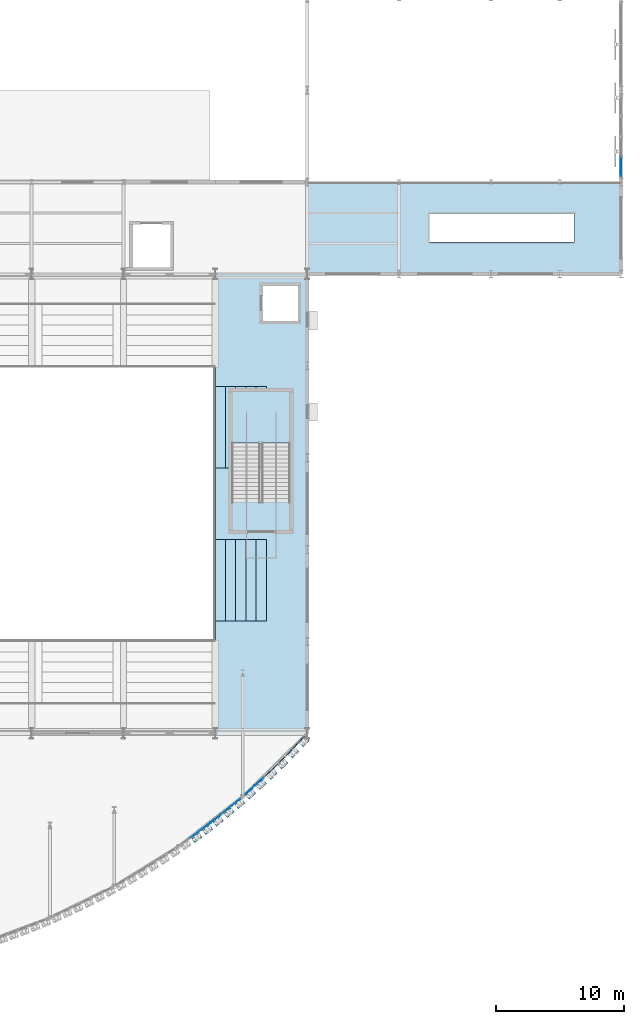
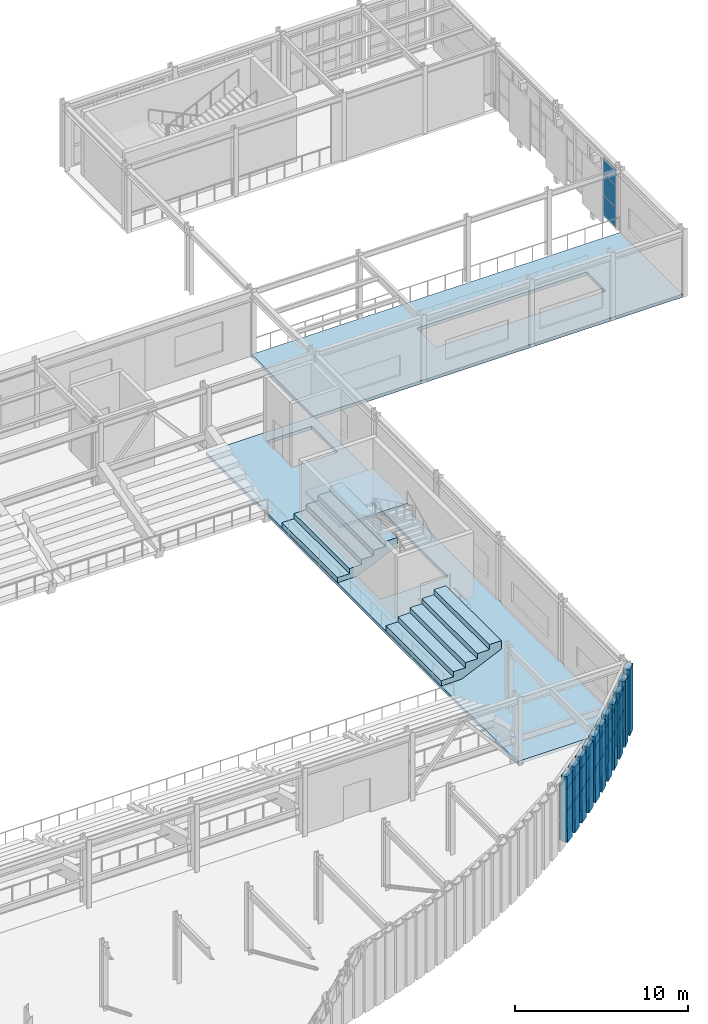
# One storey, part 88 of 121: 53 plates, 5 slabs, 8 elements without a shape of their own.
"""IFC4 building model written with IfcOpenShell, lengths in metres."""

from ifc_helpers import new_model, si_unit, direction, frame, origin, origin_2d, place, context, subcontext, project, spatial, polyline, rectangle, outline, extrude, material, layer, layer_set, type_object, element, aggregate, save


model = new_model("IFC4")

# Units and contexts
model_context = context("Model", 3, precision=1e-05, world=origin(), true_north=direction((0.0, 1.0)))
body_context = subcontext(model_context, "Body", "Model", "MODEL_VIEW")
ifc_project = project(units=[si_unit("LENGTHUNIT", "METRE"), si_unit("AREAUNIT", "SQUARE_METRE"), si_unit("VOLUMEUNIT", "CUBIC_METRE"), si_unit("PLANEANGLEUNIT", "RADIAN"), si_unit("MASSUNIT", "GRAM", prefix="KILO")], contexts=[model_context])

# Site, building, storey
site_placement = place(None, origin())
site = spatial("IfcSite", under=ifc_project, at=site_placement, CompositionType="ELEMENT")
building_placement = place(site_placement, origin())
building = spatial("IfcBuilding", under=site, at=building_placement, Name="Solvadek Multi-Sports Hall", CompositionType="ELEMENT")
storey_placement = place(building_placement, frame((0.0, 0.0, 4.800048828125)))
storey = spatial("IfcBuildingStorey", under=building, at=storey_placement, Name="L01", CompositionType="ELEMENT", Elevation=4.800048828125)

# Curtain wall, plates
ifc_material_1 = material(Name="Anodised aluminium", Category="aluminium")
ifc_layer_1 = layer(ifc_material_1, 0.159912109375, Name="Anodised aluminium")
ifc_layer_set_1 = layer_set([ifc_layer_1], Name="Anodised aluminium")
curtain_wall_type_1 = type_object("IfcCurtainWallType", Name="ENV-CW-180X420", PredefinedType="USERDEFINED", material=ifc_layer_set_1)
curtain_wall_1_placement = place(storey_placement, origin())
curtain_wall_1 = element("IfcCurtainWall", 1, at=curtain_wall_1_placement, inside=storey, type_object=curtain_wall_type_1, Name="L01 Crescent Curved Curtain Wall #103", ObjectType="CURTAIN WALL", PredefinedType="USERDEFINED")
ifc_material_2 = material(Name="Tempered laminated low-E glass", Category="glass")
ifc_layer_2 = layer(ifc_material_2, 0.02392578125, Name="Tempered laminated low-E glass")
ifc_layer_set_2 = layer_set([ifc_layer_2], Name="Tempered laminated low-E glass")
plate_type_1 = type_object("IfcPlateType", Name="ENV-CWP-01", PredefinedType="CURTAIN_PANEL", material=ifc_layer_set_2)
plate_1_placement = place(storey_placement, frame((127.99609375, -1.93994140625, 0.06005859375), z_axis=(0.0, 0.0, 1.0), x_axis=(0.812062299686, 0.583570751005, 0.0)))
plate_1 = element("IfcPlate", 2, at=plate_1_placement, type_object=plate_type_1, Name="CW-33 panel 2.1", PredefinedType="CURTAIN_PANEL", context=body_context, shape_type="SweptSolid", body=[
    extrude(rectangle(XDim=0.79443359375, YDim=0.02392578125, at=origin_2d()), origin(), (0.0, 0.0, 1.0), 1.3798828125),
])
plate_2_placement = place(storey_placement, frame((127.99609375, -1.93994140625, 1.5), z_axis=(0.0, 0.0, 1.0), x_axis=(0.812062299686, 0.583570751005, 0.0)))
plate_2 = element("IfcPlate", 3, at=plate_2_placement, type_object=plate_type_1, Name="CW-33 panel 2.2", PredefinedType="CURTAIN_PANEL", context=body_context, shape_type="SweptSolid", body=[
    extrude(rectangle(XDim=0.79443359375, YDim=0.02392578125, at=origin_2d()), origin(), (0.0, 0.0, 1.0), 1.493896484375),
])
plate_3_placement = place(storey_placement, frame((127.99609375, -1.93994140625, 3.053955078125), z_axis=(0.0, 0.0, 1.0), x_axis=(0.812062299686, 0.583570751005, 0.0)))
plate_3 = element("IfcPlate", 4, at=plate_3_placement, type_object=plate_type_1, Name="CW-33 panel 2.3", PredefinedType="CURTAIN_PANEL", context=body_context, shape_type="SweptSolid", body=[
    extrude(rectangle(XDim=0.79443359375, YDim=0.02392578125, at=origin_2d()), origin(), (0.0, 0.0, 1.0), 1.0859375),
])
aggregate(curtain_wall_1, [plate_1, plate_2, plate_3])

ifc_layer_3 = layer(ifc_material_1, 0.159912109375, Name="Anodised aluminium")
ifc_layer_set_3 = layer_set([ifc_layer_3], Name="Anodised aluminium")
curtain_wall_type_2 = type_object("IfcCurtainWallType", Name="ENV-CW-207X420", PredefinedType="USERDEFINED", material=ifc_layer_set_3)
curtain_wall_2_placement = place(storey_placement, origin())
curtain_wall_2 = element("IfcCurtainWall", 5, at=curtain_wall_2_placement, inside=storey, type_object=curtain_wall_type_2, Name="L01 Crescent Curved Curtain Wall #105", ObjectType="CURTAIN WALL", PredefinedType="USERDEFINED")
ifc_layer_4 = layer(ifc_material_2, 0.028076171875, Name="Tempered laminated low-E glass")
ifc_layer_set_4 = layer_set([ifc_layer_4], Name="Tempered laminated low-E glass")
plate_type_2 = type_object("IfcPlateType", Name="ENV-CWP-02", PredefinedType="CURTAIN_PANEL", material=ifc_layer_set_4)
plate_4_placement = place(storey_placement, frame((128.84375, -1.305908203125, 0.06005859375), z_axis=(0.0, 0.0, 1.0), x_axis=(0.79050061562, 0.612461245063, 0.0)))
plate_4 = element("IfcPlate", 6, at=plate_4_placement, type_object=plate_type_2, Name="CW-34 panel 1.1", PredefinedType="CURTAIN_PANEL", context=body_context, shape_type="SweptSolid", body=[
    extrude(rectangle(XDim=0.942626953125, YDim=0.028076171875, at=origin_2d()), origin(), (0.0, 0.0, 1.0), 1.3798828125),
])
plate_5_placement = place(storey_placement, frame((128.84375, -1.305908203125, 1.5), z_axis=(0.0, 0.0, 1.0), x_axis=(0.79050061562, 0.612461245063, 0.0)))
plate_5 = element("IfcPlate", 7, at=plate_5_placement, type_object=plate_type_2, Name="CW-34 panel 1.2", PredefinedType="CURTAIN_PANEL", context=body_context, shape_type="SweptSolid", body=[
    extrude(rectangle(XDim=0.942626953125, YDim=0.028076171875, at=origin_2d()), origin(), (0.0, 0.0, 1.0), 1.493896484375),
])
plate_6_placement = place(storey_placement, frame((128.84375, -1.305908203125, 3.053955078125), z_axis=(0.0, 0.0, 1.0), x_axis=(0.79050061562, 0.612461245063, 0.0)))
plate_6 = element("IfcPlate", 8, at=plate_6_placement, type_object=plate_type_2, Name="CW-34 panel 1.3", PredefinedType="CURTAIN_PANEL", context=body_context, shape_type="SweptSolid", body=[
    extrude(rectangle(XDim=0.942626953125, YDim=0.028076171875, at=origin_2d()), origin(), (0.0, 0.0, 1.0), 1.0859375),
])
plate_7_placement = place(storey_placement, frame((129.63623046875, -0.69189453125, 0.06005859375), z_axis=(0.0, 0.0, 1.0), x_axis=(0.79050061562, 0.612461245063, 0.0)))
plate_7 = element("IfcPlate", 9, at=plate_7_placement, type_object=plate_type_2, Name="CW-34 panel 2.1", PredefinedType="CURTAIN_PANEL", context=body_context, shape_type="SweptSolid", body=[
    extrude(rectangle(XDim=0.942626953125, YDim=0.028076171875, at=origin_2d()), origin(), (0.0, 0.0, 1.0), 1.3798828125),
])
plate_8_placement = place(storey_placement, frame((129.63623046875, -0.69189453125, 1.5), z_axis=(0.0, 0.0, 1.0), x_axis=(0.79050061562, 0.612461245063, 0.0)))
plate_8 = element("IfcPlate", 10, at=plate_8_placement, type_object=plate_type_2, Name="CW-34 panel 2.2", PredefinedType="CURTAIN_PANEL", context=body_context, shape_type="SweptSolid", body=[
    extrude(rectangle(XDim=0.942626953125, YDim=0.028076171875, at=origin_2d()), origin(), (0.0, 0.0, 1.0), 1.493896484375),
])
plate_9_placement = place(storey_placement, frame((129.63623046875, -0.69189453125, 3.053955078125), z_axis=(0.0, 0.0, 1.0), x_axis=(0.79050061562, 0.612461245063, 0.0)))
plate_9 = element("IfcPlate", 11, at=plate_9_placement, type_object=plate_type_2, Name="CW-34 panel 2.3", PredefinedType="CURTAIN_PANEL", context=body_context, shape_type="SweptSolid", body=[
    extrude(rectangle(XDim=0.942626953125, YDim=0.028076171875, at=origin_2d()), origin(), (0.0, 0.0, 1.0), 1.0859375),
])
aggregate(curtain_wall_2, [plate_4, plate_5, plate_6, plate_7, plate_8, plate_9])

ifc_layer_5 = layer(ifc_material_1, 0.159912109375, Name="Anodised aluminium")
ifc_layer_set_5 = layer_set([ifc_layer_5], Name="Anodised aluminium")
curtain_wall_type_3 = type_object("IfcCurtainWallType", Name="ENV-CW-192X420", PredefinedType="USERDEFINED", material=ifc_layer_set_5)
curtain_wall_3_placement = place(storey_placement, origin())
curtain_wall_3 = element("IfcCurtainWall", 12, at=curtain_wall_3_placement, inside=storey, type_object=curtain_wall_type_3, Name="L01 Crescent Curved Curtain Wall #107", ObjectType="CURTAIN WALL", PredefinedType="USERDEFINED")
ifc_layer_6 = layer(ifc_material_2, 0.031982421875, Name="Tempered laminated low-E glass")
ifc_layer_set_6 = layer_set([ifc_layer_6], Name="Tempered laminated low-E glass")
plate_type_3 = type_object("IfcPlateType", Name="ENV-CWP-03", PredefinedType="CURTAIN_PANEL", material=ifc_layer_set_6)
plate_10_placement = place(storey_placement, frame((130.482666015625, -0.011474609375, 0.06494140625), z_axis=(0.0, 0.0, 1.0), x_axis=(0.767251161398, 0.641346751245, 0.0)))
plate_10 = element("IfcPlate", 13, at=plate_10_placement, type_object=plate_type_3, Name="CW-31 panel 1.1", PredefinedType="CURTAIN_PANEL", context=body_context, shape_type="SweptSolid", body=[
    extrude(rectangle(XDim=0.869873046875, YDim=0.031982421875, at=origin_2d()), origin(), (0.0, 0.0, 1.0), 1.37255859375),
])
plate_11_placement = place(storey_placement, frame((130.482666015625, -0.011474609375, 1.50244140625), z_axis=(0.0, 0.0, 1.0), x_axis=(0.767251161398, 0.641346751245, 0.0)))
plate_11 = element("IfcPlate", 14, at=plate_11_placement, type_object=plate_type_3, Name="CW-31 panel 1.2", PredefinedType="CURTAIN_PANEL", context=body_context, shape_type="SweptSolid", body=[
    extrude(rectangle(XDim=0.869873046875, YDim=0.031982421875, at=origin_2d()), origin(), (0.0, 0.0, 1.0), 1.489013671875),
])
plate_12_placement = place(storey_placement, frame((130.482666015625, -0.011474609375, 3.056396484375), z_axis=(0.0, 0.0, 1.0), x_axis=(0.767251161398, 0.641346751245, 0.0)))
plate_12 = element("IfcPlate", 15, at=plate_12_placement, type_object=plate_type_3, Name="CW-31 panel 1.3", PredefinedType="CURTAIN_PANEL", context=body_context, shape_type="SweptSolid", body=[
    extrude(rectangle(XDim=0.869873046875, YDim=0.031982421875, at=origin_2d()), origin(), (0.0, 0.0, 1.0), 1.07861328125),
])
plate_13_placement = place(storey_placement, frame((131.196044921875, 0.5849609375, 0.06494140625), z_axis=(0.0, 0.0, 1.0), x_axis=(0.767251161398, 0.641346751245, 0.0)))
plate_13 = element("IfcPlate", 16, at=plate_13_placement, type_object=plate_type_3, Name="CW-31 panel 2.1", PredefinedType="CURTAIN_PANEL", context=body_context, shape_type="SweptSolid", body=[
    extrude(rectangle(XDim=0.869873046875, YDim=0.031982421875, at=origin_2d()), origin(), (0.0, 0.0, 1.0), 1.37255859375),
])
plate_14_placement = place(storey_placement, frame((131.196044921875, 0.5849609375, 1.50244140625), z_axis=(0.0, 0.0, 1.0), x_axis=(0.767251161398, 0.641346751245, 0.0)))
plate_14 = element("IfcPlate", 17, at=plate_14_placement, type_object=plate_type_3, Name="CW-31 panel 2.2", PredefinedType="CURTAIN_PANEL", context=body_context, shape_type="SweptSolid", body=[
    extrude(rectangle(XDim=0.869873046875, YDim=0.031982421875, at=origin_2d()), origin(), (0.0, 0.0, 1.0), 1.489013671875),
])
plate_15_placement = place(storey_placement, frame((131.196044921875, 0.5849609375, 3.056396484375), z_axis=(0.0, 0.0, 1.0), x_axis=(0.767251161398, 0.641346751245, 0.0)))
plate_15 = element("IfcPlate", 18, at=plate_15_placement, type_object=plate_type_3, Name="CW-31 panel 2.3", PredefinedType="CURTAIN_PANEL", context=body_context, shape_type="SweptSolid", body=[
    extrude(rectangle(XDim=0.869873046875, YDim=0.031982421875, at=origin_2d()), origin(), (0.0, 0.0, 1.0), 1.07861328125),
])
aggregate(curtain_wall_3, [plate_10, plate_11, plate_12, plate_13, plate_14, plate_15])

ifc_layer_7 = layer(ifc_material_1, 0.159912109375, Name="Anodised aluminium")
ifc_layer_set_7 = layer_set([ifc_layer_7], Name="Anodised aluminium")
curtain_wall_type_4 = type_object("IfcCurtainWallType", Name="ENV-CW-199X420", PredefinedType="USERDEFINED", material=ifc_layer_set_7)
curtain_wall_4_placement = place(storey_placement, origin())
curtain_wall_4 = element("IfcCurtainWall", 19, at=curtain_wall_4_placement, inside=storey, type_object=curtain_wall_type_4, Name="L01 Crescent Curved Curtain Wall #109", ObjectType="CURTAIN WALL", PredefinedType="USERDEFINED")
ifc_layer_8 = layer(ifc_material_2, 0.035888671875, Name="Tempered laminated low-E glass")
ifc_layer_set_8 = layer_set([ifc_layer_8], Name="Tempered laminated low-E glass")
plate_type_4 = type_object("IfcPlateType", Name="ENV-CWP-04", PredefinedType="CURTAIN_PANEL", material=ifc_layer_set_8)
plate_16_placement = place(storey_placement, frame((132.320068359375, 1.56201171875, 0.06494140625), z_axis=(0.0, 0.0, 1.0), x_axis=(0.742155760329, 0.670227444536, 0.0)))
plate_16 = element("IfcPlate", 20, at=plate_16_placement, type_object=plate_type_4, Name="CW-35 panel 1.1", PredefinedType="CURTAIN_PANEL", context=body_context, shape_type="SweptSolid", body=[
    extrude(rectangle(XDim=0.8994140625, YDim=0.035888671875, at=origin_2d()), origin(), (0.0, 0.0, 1.0), 1.37255859375),
])
plate_17_placement = place(storey_placement, frame((132.320068359375, 1.56201171875, 1.50244140625), z_axis=(0.0, 0.0, 1.0), x_axis=(0.742155760329, 0.670227444536, 0.0)))
plate_17 = element("IfcPlate", 21, at=plate_17_placement, type_object=plate_type_4, Name="CW-35 panel 1.2", PredefinedType="CURTAIN_PANEL", context=body_context, shape_type="SweptSolid", body=[
    extrude(rectangle(XDim=0.8994140625, YDim=0.035888671875, at=origin_2d()), origin(), (0.0, 0.0, 1.0), 1.489013671875),
])
plate_18_placement = place(storey_placement, frame((132.320068359375, 1.56201171875, 3.056396484375), z_axis=(0.0, 0.0, 1.0), x_axis=(0.742155760329, 0.670227444536, 0.0)))
plate_18 = element("IfcPlate", 22, at=plate_18_placement, type_object=plate_type_4, Name="CW-35 panel 1.3", PredefinedType="CURTAIN_PANEL", context=body_context, shape_type="SweptSolid", body=[
    extrude(rectangle(XDim=0.8994140625, YDim=0.035888671875, at=origin_2d()), origin(), (0.0, 0.0, 1.0), 1.07861328125),
])
plate_19_placement = place(storey_placement, frame((133.03564453125, 2.208251953125, 0.06494140625), z_axis=(0.0, 0.0, 1.0), x_axis=(0.742155760329, 0.670227444536, 0.0)))
plate_19 = element("IfcPlate", 23, at=plate_19_placement, type_object=plate_type_4, Name="CW-35 panel 2.1", PredefinedType="CURTAIN_PANEL", context=body_context, shape_type="SweptSolid", body=[
    extrude(rectangle(XDim=0.8994140625, YDim=0.035888671875, at=origin_2d()), origin(), (0.0, 0.0, 1.0), 1.37255859375),
])
plate_20_placement = place(storey_placement, frame((133.03564453125, 2.208251953125, 1.50244140625), z_axis=(0.0, 0.0, 1.0), x_axis=(0.742155760329, 0.670227444536, 0.0)))
plate_20 = element("IfcPlate", 24, at=plate_20_placement, type_object=plate_type_4, Name="CW-35 panel 2.2", PredefinedType="CURTAIN_PANEL", context=body_context, shape_type="SweptSolid", body=[
    extrude(rectangle(XDim=0.8994140625, YDim=0.035888671875, at=origin_2d()), origin(), (0.0, 0.0, 1.0), 1.489013671875),
])
plate_21_placement = place(storey_placement, frame((133.03564453125, 2.208251953125, 3.056396484375), z_axis=(0.0, 0.0, 1.0), x_axis=(0.742155760329, 0.670227444536, 0.0)))
plate_21 = element("IfcPlate", 25, at=plate_21_placement, type_object=plate_type_4, Name="CW-35 panel 2.3", PredefinedType="CURTAIN_PANEL", context=body_context, shape_type="SweptSolid", body=[
    extrude(rectangle(XDim=0.8994140625, YDim=0.035888671875, at=origin_2d()), origin(), (0.0, 0.0, 1.0), 1.07861328125),
])
aggregate(curtain_wall_4, [plate_16, plate_17, plate_18, plate_19, plate_20, plate_21])

ifc_layer_9 = layer(ifc_material_1, 0.159912109375, Name="Anodised aluminium")
ifc_layer_set_9 = layer_set([ifc_layer_9], Name="Anodised aluminium")
curtain_wall_type_5 = type_object("IfcCurtainWallType", Name="ENV-CW-229X420", PredefinedType="USERDEFINED", material=ifc_layer_set_9)
curtain_wall_5_placement = place(storey_placement, origin())
curtain_wall_5 = element("IfcCurtainWall", 26, at=curtain_wall_5_placement, inside=storey, type_object=curtain_wall_type_5, Name="L01 Crescent Curved Curtain Wall #111", ObjectType="CURTAIN WALL", PredefinedType="USERDEFINED")
ifc_layer_10 = layer(ifc_material_2, 0.0419921875, Name="Tempered laminated low-E glass")
ifc_layer_set_10 = layer_set([ifc_layer_10], Name="Tempered laminated low-E glass")
plate_type_5 = type_object("IfcPlateType", Name="ENV-CWP-05", PredefinedType="CURTAIN_PANEL", material=ifc_layer_set_10)
plate_22_placement = place(storey_placement, frame((133.745849609375, 2.87255859375, 0.06005859375), z_axis=(0.0, 0.0, 1.0), x_axis=(0.715032381235, 0.699091334366, 0.0)))
plate_22 = element("IfcPlate", 27, at=plate_22_placement, type_object=plate_type_5, Name="CW-36 panel 1.1", PredefinedType="CURTAIN_PANEL", context=body_context, shape_type="SweptSolid", body=[
    extrude(rectangle(XDim=0.665771484375, YDim=0.0419921875, at=origin_2d()), origin(), (0.0, 0.0, 1.0), 1.3798828125),
])
plate_23_placement = place(storey_placement, frame((133.745849609375, 2.87255859375, 1.5), z_axis=(0.0, 0.0, 1.0), x_axis=(0.715032381235, 0.699091334366, 0.0)))
plate_23 = element("IfcPlate", 28, at=plate_23_placement, type_object=plate_type_5, Name="CW-36 panel 1.2", PredefinedType="CURTAIN_PANEL", context=body_context, shape_type="SweptSolid", body=[
    extrude(rectangle(XDim=0.665771484375, YDim=0.0419921875, at=origin_2d()), origin(), (0.0, 0.0, 1.0), 1.493896484375),
])
plate_24_placement = place(storey_placement, frame((133.745849609375, 2.87255859375, 3.053955078125), z_axis=(0.0, 0.0, 1.0), x_axis=(0.715032381235, 0.699091334366, 0.0)))
plate_24 = element("IfcPlate", 29, at=plate_24_placement, type_object=plate_type_5, Name="CW-36 panel 1.3", PredefinedType="CURTAIN_PANEL", context=body_context, shape_type="SweptSolid", body=[
    extrude(rectangle(XDim=0.665771484375, YDim=0.0419921875, at=origin_2d()), origin(), (0.0, 0.0, 1.0), 1.0859375),
])
plate_25_placement = place(storey_placement, frame((134.280029296875, 3.394775390625, 0.06005859375), z_axis=(0.0, 0.0, 1.0), x_axis=(0.715032381235, 0.699091334366, 0.0)))
plate_25 = element("IfcPlate", 30, at=plate_25_placement, type_object=plate_type_5, Name="CW-36 panel 2.1", PredefinedType="CURTAIN_PANEL", context=body_context, shape_type="SweptSolid", body=[
    extrude(rectangle(XDim=0.6982421875, YDim=0.0419921875, at=origin_2d()), origin(), (0.0, 0.0, 1.0), 1.3798828125),
])
plate_26_placement = place(storey_placement, frame((134.280029296875, 3.394775390625, 1.5), z_axis=(0.0, 0.0, 1.0), x_axis=(0.715032381235, 0.699091334366, 0.0)))
plate_26 = element("IfcPlate", 31, at=plate_26_placement, type_object=plate_type_5, Name="CW-36 panel 2.2", PredefinedType="CURTAIN_PANEL", context=body_context, shape_type="SweptSolid", body=[
    extrude(rectangle(XDim=0.6982421875, YDim=0.0419921875, at=origin_2d()), origin(), (0.0, 0.0, 1.0), 1.493896484375),
])
plate_27_placement = place(storey_placement, frame((134.280029296875, 3.394775390625, 3.053955078125), z_axis=(0.0, 0.0, 1.0), x_axis=(0.715032381235, 0.699091334366, 0.0)))
plate_27 = element("IfcPlate", 32, at=plate_27_placement, type_object=plate_type_5, Name="CW-36 panel 2.3", PredefinedType="CURTAIN_PANEL", context=body_context, shape_type="SweptSolid", body=[
    extrude(rectangle(XDim=0.6982421875, YDim=0.0419921875, at=origin_2d()), origin(), (0.0, 0.0, 1.0), 1.0859375),
])
plate_28_placement = place(storey_placement, frame((134.814208984375, 3.9169921875, 0.06005859375), z_axis=(0.0, 0.0, 1.0), x_axis=(0.715032381235, 0.699091334366, 0.0)))
plate_28 = element("IfcPlate", 33, at=plate_28_placement, type_object=plate_type_5, Name="CW-36 panel 3.1", PredefinedType="CURTAIN_PANEL", context=body_context, shape_type="SweptSolid", body=[
    extrude(rectangle(XDim=0.665771484375, YDim=0.0419921875, at=origin_2d()), origin(), (0.0, 0.0, 1.0), 1.3798828125),
])
plate_29_placement = place(storey_placement, frame((134.814208984375, 3.9169921875, 1.5), z_axis=(0.0, 0.0, 1.0), x_axis=(0.715032381235, 0.699091334366, 0.0)))
plate_29 = element("IfcPlate", 34, at=plate_29_placement, type_object=plate_type_5, Name="CW-36 panel 3.2", PredefinedType="CURTAIN_PANEL", context=body_context, shape_type="SweptSolid", body=[
    extrude(rectangle(XDim=0.665771484375, YDim=0.0419921875, at=origin_2d()), origin(), (0.0, 0.0, 1.0), 1.493896484375),
])
plate_30_placement = place(storey_placement, frame((134.814208984375, 3.9169921875, 3.053955078125), z_axis=(0.0, 0.0, 1.0), x_axis=(0.715032381235, 0.699091334366, 0.0)))
plate_30 = element("IfcPlate", 35, at=plate_30_placement, type_object=plate_type_5, Name="CW-36 panel 3.3", PredefinedType="CURTAIN_PANEL", context=body_context, shape_type="SweptSolid", body=[
    extrude(rectangle(XDim=0.665771484375, YDim=0.0419921875, at=origin_2d()), origin(), (0.0, 0.0, 1.0), 1.0859375),
])
aggregate(curtain_wall_5, [plate_22, plate_23, plate_24, plate_25, plate_26, plate_27, plate_28, plate_29, plate_30])

ifc_layer_11 = layer(ifc_material_1, 0.159912109375, Name="Anodised aluminium")
ifc_layer_set_11 = layer_set([ifc_layer_11], Name="Anodised aluminium")
curtain_wall_type_6 = type_object("IfcCurtainWallType", Name="ENV-CW-642X416", PredefinedType="USERDEFINED", material=ifc_layer_set_11)
curtain_wall_6_placement = place(storey_placement, origin())
curtain_wall_6 = element("IfcCurtainWall", 36, at=curtain_wall_6_placement, inside=storey, type_object=curtain_wall_type_6, Name="L01 Perimeter Bay Curtain Wall #145", ObjectType="CURTAIN WALL", PredefinedType="USERDEFINED")
plate_31_placement = place(storey_placement, frame((161.39990234375, 50.409912109375, 0.06005859375), z_axis=(0.0, 0.0, 1.0), x_axis=(0.0, 1.0, 0.0)))
plate_31 = element("IfcPlate", 37, at=plate_31_placement, type_object=plate_type_5, Name="CW-53 panel 1.1", PredefinedType="CURTAIN_PANEL", context=body_context, shape_type="SweptSolid", body=[
    extrude(rectangle(XDim=1.5, YDim=0.0419921875, at=origin_2d()), origin(), (0.0, 0.0, 1.0), 1.366943359375),
])
plate_32_placement = place(storey_placement, frame((161.39990234375, 50.409912109375, 1.487060546875), z_axis=(0.0, 0.0, 1.0), x_axis=(0.0, 1.0, 0.0)))
plate_32 = element("IfcPlate", 38, at=plate_32_placement, type_object=plate_type_5, Name="CW-53 panel 1.2", PredefinedType="CURTAIN_PANEL", context=body_context, shape_type="SweptSolid", body=[
    extrude(rectangle(XDim=1.5, YDim=0.0419921875, at=origin_2d()), origin(), (0.0, 0.0, 1.0), 1.47998046875),
])
plate_33_placement = place(storey_placement, frame((161.39990234375, 50.409912109375, 3.02685546875), z_axis=(0.0, 0.0, 1.0), x_axis=(0.0, 1.0, 0.0)))
plate_33 = element("IfcPlate", 39, at=plate_33_placement, type_object=plate_type_5, Name="CW-53 panel 1.3", PredefinedType="CURTAIN_PANEL", context=body_context, shape_type="SweptSolid", body=[
    extrude(rectangle(XDim=1.5, YDim=0.0419921875, at=origin_2d()), origin(), (0.0, 0.0, 1.0), 1.074951171875),
])
aggregate(curtain_wall_6, [plate_31, plate_32, plate_33])

ifc_layer_12 = layer(ifc_material_1, 0.159912109375, Name="Anodised aluminium")
ifc_layer_set_12 = layer_set([ifc_layer_12], Name="Anodised aluminium")
curtain_wall_type_7 = type_object("IfcCurtainWallType", Name="ENV-CW-218X420", PredefinedType="USERDEFINED", material=ifc_layer_set_12)
curtain_wall_7_placement = place(storey_placement, origin())
curtain_wall_7 = element("IfcCurtainWall", 40, at=curtain_wall_7_placement, inside=storey, type_object=curtain_wall_type_7, Name="L01 Crescent Curved Curtain Wall #113", ObjectType="CURTAIN WALL", PredefinedType="USERDEFINED")
ifc_layer_13 = layer(ifc_material_2, 0.048095703125, Name="Tempered laminated low-E glass")
ifc_layer_set_13 = layer_set([ifc_layer_13], Name="Tempered laminated low-E glass")
plate_type_6 = type_object("IfcPlateType", Name="ENV-CWP-06", PredefinedType="CURTAIN_PANEL", material=ifc_layer_set_13)
plate_34_placement = place(storey_placement, frame((135.40185546875, 4.51513671875, 0.06005859375), z_axis=(0.0, 0.0, 1.0), x_axis=(0.685577818651, 0.727999350669, 0.0)))
plate_34 = element("IfcPlate", 41, at=plate_34_placement, type_object=plate_type_6, Name="CW-37 panel 1.1", PredefinedType="CURTAIN_PANEL", context=body_context, shape_type="SweptSolid", body=[
    extrude(rectangle(XDim=0.621826171875, YDim=0.048095703125, at=origin_2d()), origin(), (0.0, 0.0, 1.0), 1.3798828125),
])
plate_35_placement = place(storey_placement, frame((135.40185546875, 4.51513671875, 1.5), z_axis=(0.0, 0.0, 1.0), x_axis=(0.685577818651, 0.727999350669, 0.0)))
plate_35 = element("IfcPlate", 42, at=plate_35_placement, type_object=plate_type_6, Name="CW-37 panel 1.2", PredefinedType="CURTAIN_PANEL", context=body_context, shape_type="SweptSolid", body=[
    extrude(rectangle(XDim=0.621826171875, YDim=0.048095703125, at=origin_2d()), origin(), (0.0, 0.0, 1.0), 1.493896484375),
])
plate_36_placement = place(storey_placement, frame((135.40185546875, 4.51513671875, 3.053955078125), z_axis=(0.0, 0.0, 1.0), x_axis=(0.685577818651, 0.727999350669, 0.0)))
plate_36 = element("IfcPlate", 43, at=plate_36_placement, type_object=plate_type_6, Name="CW-37 panel 1.3", PredefinedType="CURTAIN_PANEL", context=body_context, shape_type="SweptSolid", body=[
    extrude(rectangle(XDim=0.621826171875, YDim=0.048095703125, at=origin_2d()), origin(), (0.0, 0.0, 1.0), 1.0859375),
])
plate_37_placement = place(storey_placement, frame((135.887939453125, 5.031494140625, 0.06005859375), z_axis=(0.0, 0.0, 1.0), x_axis=(0.685577818651, 0.727999350669, 0.0)))
plate_37 = element("IfcPlate", 44, at=plate_37_placement, type_object=plate_type_6, Name="CW-37 panel 2.1", PredefinedType="CURTAIN_PANEL", context=body_context, shape_type="SweptSolid", body=[
    extrude(rectangle(XDim=0.65673828125, YDim=0.048095703125, at=origin_2d()), origin(), (0.0, 0.0, 1.0), 1.3798828125),
])
plate_38_placement = place(storey_placement, frame((135.887939453125, 5.031494140625, 1.5), z_axis=(0.0, 0.0, 1.0), x_axis=(0.685577818651, 0.727999350669, 0.0)))
plate_38 = element("IfcPlate", 45, at=plate_38_placement, type_object=plate_type_6, Name="CW-37 panel 2.2", PredefinedType="CURTAIN_PANEL", context=body_context, shape_type="SweptSolid", body=[
    extrude(rectangle(XDim=0.65673828125, YDim=0.048095703125, at=origin_2d()), origin(), (0.0, 0.0, 1.0), 1.493896484375),
])
plate_39_placement = place(storey_placement, frame((135.887939453125, 5.031494140625, 3.053955078125), z_axis=(0.0, 0.0, 1.0), x_axis=(0.685577818651, 0.727999350669, 0.0)))
plate_39 = element("IfcPlate", 46, at=plate_39_placement, type_object=plate_type_6, Name="CW-37 panel 2.3", PredefinedType="CURTAIN_PANEL", context=body_context, shape_type="SweptSolid", body=[
    extrude(rectangle(XDim=0.65673828125, YDim=0.048095703125, at=origin_2d()), origin(), (0.0, 0.0, 1.0), 1.0859375),
])
plate_40_placement = place(storey_placement, frame((136.374267578125, 5.548095703125, 0.06005859375), z_axis=(0.0, 0.0, 1.0), x_axis=(0.685577818651, 0.727999350669, 0.0)))
plate_40 = element("IfcPlate", 47, at=plate_40_placement, type_object=plate_type_6, Name="CW-37 panel 3.1", PredefinedType="CURTAIN_PANEL", context=body_context, shape_type="SweptSolid", body=[
    extrude(rectangle(XDim=0.621826171875, YDim=0.048095703125, at=origin_2d()), origin(), (0.0, 0.0, 1.0), 1.3798828125),
])
plate_41_placement = place(storey_placement, frame((136.374267578125, 5.548095703125, 1.5), z_axis=(0.0, 0.0, 1.0), x_axis=(0.685577818651, 0.727999350669, 0.0)))
plate_41 = element("IfcPlate", 48, at=plate_41_placement, type_object=plate_type_6, Name="CW-37 panel 3.2", PredefinedType="CURTAIN_PANEL", context=body_context, shape_type="SweptSolid", body=[
    extrude(rectangle(XDim=0.621826171875, YDim=0.048095703125, at=origin_2d()), origin(), (0.0, 0.0, 1.0), 1.493896484375),
])
plate_42_placement = place(storey_placement, frame((136.374267578125, 5.548095703125, 3.053955078125), z_axis=(0.0, 0.0, 1.0), x_axis=(0.685577818651, 0.727999350669, 0.0)))
plate_42 = element("IfcPlate", 49, at=plate_42_placement, type_object=plate_type_6, Name="CW-37 panel 3.3", PredefinedType="CURTAIN_PANEL", context=body_context, shape_type="SweptSolid", body=[
    extrude(rectangle(XDim=0.621826171875, YDim=0.048095703125, at=origin_2d()), origin(), (0.0, 0.0, 1.0), 1.0859375),
])
aggregate(curtain_wall_7, [plate_34, plate_35, plate_36, plate_37, plate_38, plate_39, plate_40, plate_41, plate_42])

# Plates
ifc_material_3 = material(Name="Perforated champagne-bronze anodised aluminium", Category="aluminium")
ifc_layer_14 = layer(ifc_material_3, 0.419921875, Name="Perforated champagne-bronze anodised aluminium")
ifc_layer_set_14 = layer_set([ifc_layer_14], Name="Perforated champagne-bronze anodised aluminium")
plate_type_7 = type_object("IfcPlateType", Name="ENV-FLT-440", PredefinedType="USERDEFINED", material=ifc_layer_set_14)
for number, where, z_axis, x_axis, name in (
    (50, (128.155029296875, -2.1953125, 0.0400390625), (0.0, 0.0, 1.0), (0.812061184697, 0.583572302554, 0.0), "L01 Half-Cylinder Colonnade Flute #206"),
    (51, (129.003662109375, -1.5615234375, 0.0400390625), (0.0, 0.0, 1.0), (0.790483393841, 0.61248347248, 0.0), "L01 Half-Cylinder Colonnade Flute #209"),
    (52, (129.84375, -0.91064453125, 0.0400390625), (0.0, 0.0, 1.0), (0.790483393841, 0.61248347248, 0.0), "L01 Half-Cylinder Colonnade Flute #210"),
    (53, (130.6923828125, -0.227294921875, 0.0400390625), (0.0, 0.0, 1.0), (0.767254598934, 0.641342638855, 0.0), "L01 Half-Cylinder Colonnade Flute #213"),
    (54, (131.532470703125, 0.474853515625, 0.0400390625), (0.0, 0.0, 1.0), (0.767254598934, 0.641342638855, 0.0), "L01 Half-Cylinder Colonnade Flute #214"),
    (55, (132.381103515625, 1.212890625, 0.0400390625), (0.0, 0.0, 1.0), (0.742150841647, 0.670232891048, 0.0), "L01 Half-Cylinder Colonnade Flute #217"),
    (56, (133.22119140625, 1.971435546875, 0.0400390625), (0.0, 0.0, 1.0), (0.742150841647, 0.670232891048, 0.0), "L01 Half-Cylinder Colonnade Flute #218"),
    (57, (134.06982421875, 2.76953125, 0.0400390625), (0.0, 0.0, 1.0), (0.71499957752, 0.699124884514, 0.0), "L01 Half-Cylinder Colonnade Flute #221"),
    (58, (134.90966796875, 3.5908203125, 0.0400390625), (0.0, 0.0, 1.0), (0.71499957752, 0.699124884514, 0.0), "L01 Half-Cylinder Colonnade Flute #222"),
    (59, (135.75830078125, 4.456298828125, 0.0400390625), (0.0, 0.0, 1.0), (0.685588703424, 0.727989100013, 0.0), "L01 Half-Cylinder Colonnade Flute #225"),
    (60, (136.598388671875, 5.348388671875, 0.0400390625), (0.0, 0.0, 1.0), (0.685588703424, 0.727989100013, 0.0), "L01 Half-Cylinder Colonnade Flute #226"),
):
    element("IfcPlate", number, at=place(storey_placement, frame(where, z_axis=z_axis, x_axis=x_axis)), inside=storey, type_object=plate_type_7, Name=name, ObjectType="FLANGED_SHEET", PredefinedType="USERDEFINED", context=body_context, shape_type="SweptSolid", body=[
        extrude(rectangle(XDim=0.719970703125, YDim=0.419921875, at=origin_2d()), origin(), (0.0, 0.0, 1.0), 4.64990234375),
    ])

# Stair, slab
ifc_material_4 = material(Name="Concrete M35", Category="concrete")
stair_type = type_object("IfcStairType", Name="INT-STR-DOG220", PredefinedType="USERDEFINED", material=ifc_material_4)
stair_placement = place(storey_placement, origin())
stair = element("IfcStair", 61, at=stair_placement, inside=storey, type_object=stair_type, Name="L01 Exit Stair Core ST-05 (SE Competition Hall)", ObjectType="TWO_RUN_STAIR", PredefinedType="USERDEFINED")
ifc_layer_15 = layer(ifc_material_4, 0.199951171875, Name="Concrete M35")
ifc_layer_set_15 = layer_set([ifc_layer_15], Name="Concrete M35")
slab_type_1 = type_object("IfcSlabType", Name="INT-LND-RC200", PredefinedType="LANDING", material=ifc_layer_set_15)
slab_1_placement = place(storey_placement, frame((0.0, 0.0, 2.199951171875)))
slab_1 = element("IfcSlab", 62, at=slab_1_placement, type_object=slab_type_1, Name="ST-05 landing 1", PredefinedType="LANDING", context=body_context, shape_type="SweptSolid", body=[
    extrude(outline(polyline([(135.449951171875, 28.75), (135.449951171875, 32.800048828125), (130.89990234375, 32.800048828125), (130.89990234375, 28.75), (135.449951171875, 28.75)])), origin(), (0.0, 0.0, 1.0), 0.199951171875),
])
aggregate(stair, [slab_1])

# Slabs
ifc_layer_16 = layer(ifc_material_4, 0.199951171875, Name="Concrete M35")
ifc_layer_set_16 = layer_set([ifc_layer_16], Name="Concrete M35")
slab_type_2 = type_object("IfcSlabType", Name="STR-SLB-FLR200", PredefinedType="FLOOR", material=ifc_layer_set_16)
slab_2_placement = place(storey_placement, frame((0.0, 0.0, -0.219970703125)))
element("IfcSlab", 63, at=slab_2_placement, inside=storey, type_object=slab_type_2, Name="L01 First Floor Concourse Slab #70", PredefinedType="FLOOR", context=body_context, shape_type="SweptSolid", body=[
    extrude(outline(polyline([(136.800048828125, 49.199951171875), (161.39990234375, 49.199951171875), (161.39990234375, 42.0), (136.800048828125, 42.0), (136.800048828125, 49.199951171875)]), holes=[polyline([(157.719970703125, 44.5), (157.719970703125, 46.699951171875), (146.39990234375, 46.699951171875), (146.39990234375, 44.5), (157.719970703125, 44.5)])]), origin(), (0.0, 0.0, 1.0), 0.219970703125),
])
ifc_layer_17 = layer(ifc_material_4, 0.219970703125, Name="Concrete M35")
ifc_layer_set_17 = layer_set([ifc_layer_17], Name="Concrete M35")
slab_type_3 = type_object("IfcSlabType", Name="STR-SLB-FLR220", PredefinedType="FLOOR", material=ifc_layer_set_17)
slab_3_placement = place(storey_placement, frame((0.0, 0.0, -0.219970703125)))
element("IfcSlab", 64, at=slab_3_placement, inside=storey, type_object=slab_type_3, Name="L01 First Floor Concourse Slab #68", PredefinedType="FLOOR", context=body_context, shape_type="SweptSolid", body=[
    extrude(outline(polyline([(129.60009765625, 6.219970703125), (129.60009765625, 13.199951171875), (129.60009765625, 35.02001953125), (129.60009765625, 42.0), (136.800048828125, 42.0), (136.800048828125, 6.0), (129.60009765625, 6.0), (129.60009765625, 6.219970703125)]), holes=[polyline([(136.199951171875, 38.199951171875), (136.199951171875, 41.199951171875), (133.199951171875, 41.199951171875), (133.199951171875, 38.199951171875), (136.199951171875, 38.199951171875)]), polyline([(135.449951171875, 32.800048828125), (130.89990234375, 32.800048828125), (130.89990234375, 24.14501953125), (135.449951171875, 24.14501953125), (135.449951171875, 32.800048828125)])]), origin(), (0.0, 0.0, 1.0), 0.219970703125),
])
ifc_material_5 = material(Name="Precast concrete M40", Category="concrete")
ifc_layer_18 = layer(ifc_material_5, 0.219970703125, Name="Precast concrete M40")
ifc_layer_set_18 = layer_set([ifc_layer_18], Name="Precast concrete M40")
slab_type_4 = type_object("IfcSlabType", Name="STR-SLB-TIER220", PredefinedType="USERDEFINED", material=ifc_layer_set_18)
for number, where, z_axis, x_axis, name in (
    (65, (129.60009765625, 18.0, 0.0), (0.0, 0.0, 1.0), (1.0, 0.0, 0.0), "L01 East Spectator Seating Tier #12"),
    (66, (129.60009765625, 30.0, 0.0), (0.0, 0.0, 1.0), (1.0, 0.0, 0.0), "L01 East Spectator Seating Tier #14"),
):
    element("IfcSlab", number, at=place(storey_placement, frame(where, z_axis=z_axis, x_axis=x_axis)), inside=storey, type_object=slab_type_4, Name=name, ObjectType="SEATING TIER", PredefinedType="USERDEFINED", context=body_context, shape_type="SweptSolid", body=[
        extrude(outline(polyline([(0.0, 0.0), (0.0, 0.360107421875), (0.800048828125, 0.360107421875), (0.800048828125, 0.719970703125), (1.60009765625, 0.719970703125), (1.60009765625, 1.080078125), (2.39990234375, 1.080078125), (2.39990234375, 1.43994140625), (3.199951171875, 1.43994140625), (3.199951171875, 1.800048828125), (4.0, 1.800048828125), (4.0, 1.19873046875), (1.3359375, 0.0), (0.0, 0.0)])), frame((0.0, 3.199951171875, 0.0), z_axis=(0.0, -1.0, 0.0), x_axis=(1.0, 0.0, 0.0)), (0.0, 0.0, 1.0), 6.39990234375),
    ])

save(model, "model.ifc")
